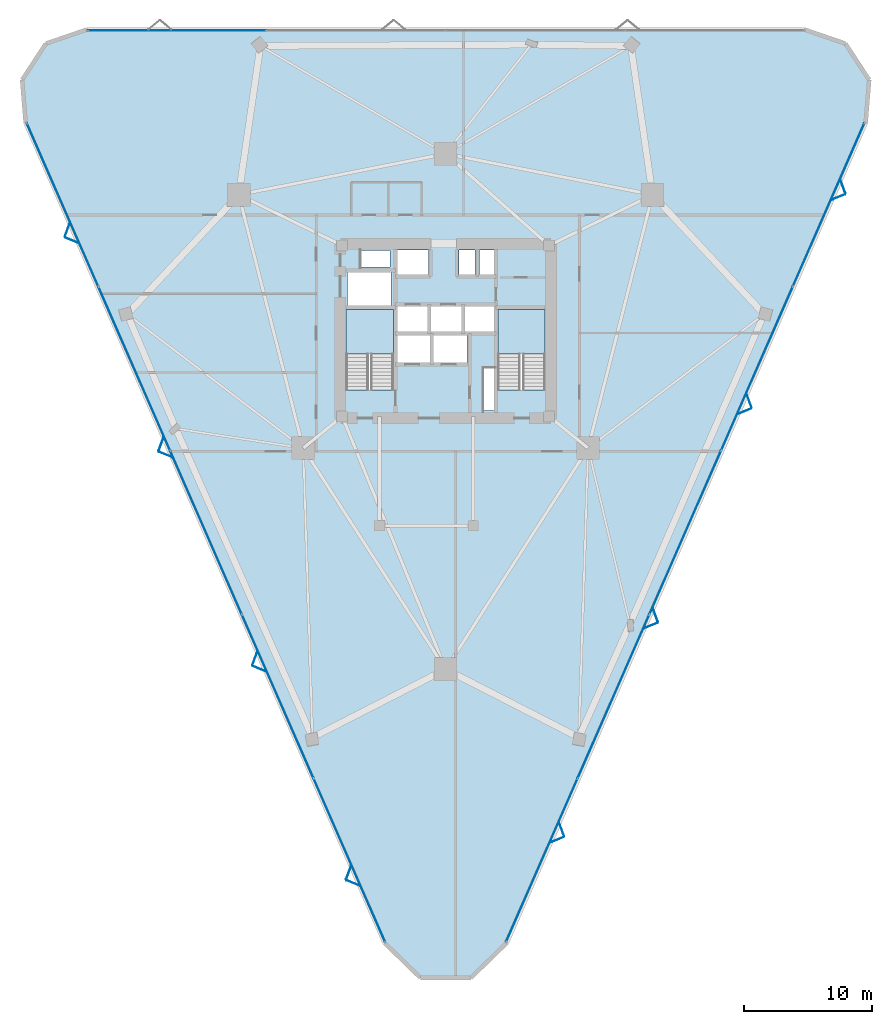
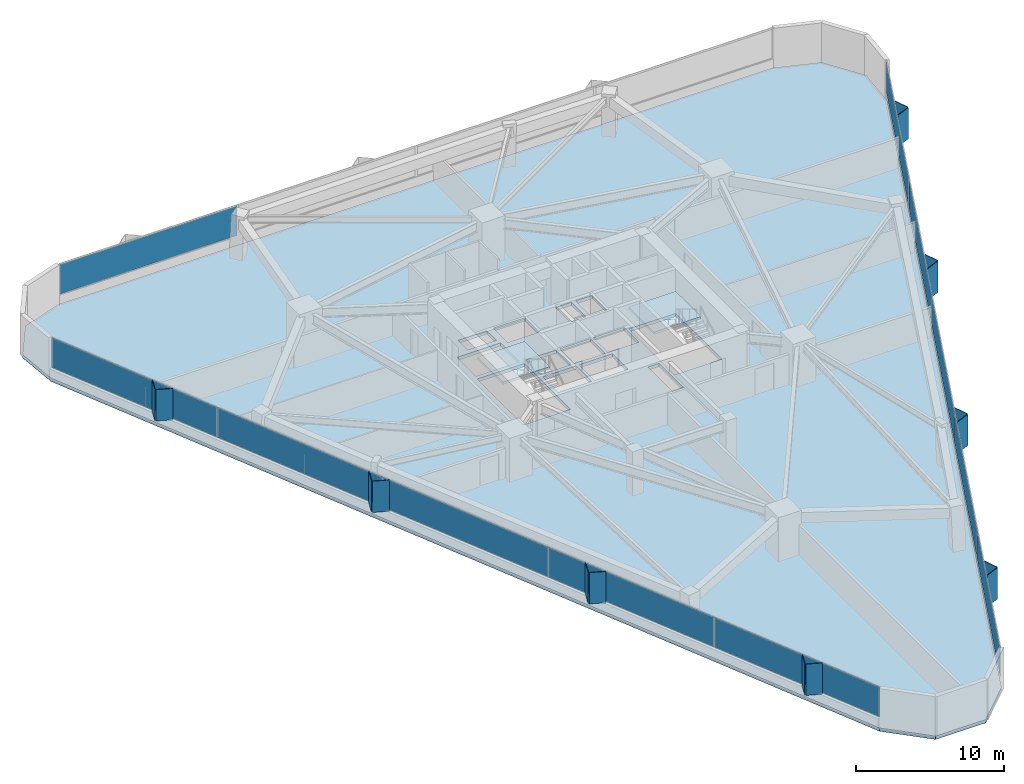
# One storey, part 15 of 20: 27 plates, 3 slabs, 5 elements without a shape of their own.
"""IFC4 building model written with IfcOpenShell, lengths in metres."""

import ifcopenshell
import ifcopenshell.guid

model = None  # the IFC model being written
_history = None  # IfcOwnerHistory: only IFC2X3 demands one
_inside = {}  # id of a spatial element -> (the spatial element, [elements in it])
_under = {}  # id of a project, library or spatial element -> (it, [spatial elements below it])
_declared = {}  # id of a project -> (the project, [libraries it declares])
_typed = {}  # id of a type object -> (the type object, [elements of that type])
_made_of = {}  # id of a material, layer set ... -> (it, [elements and type objects made of it])


def new_model(schema):
    """Start an empty IFC model of exactly this schema.

    Asked for "IFC4X3", IfcOpenShell would pick the latest addendum, in which some entities
    have other attributes; the version numbers below select the first issue.
    IFC2X3 requires an IfcOwnerHistory on every rooted entity: one is made here for all.
    """
    global model, _history
    if schema == "IFC4X3":
        model = ifcopenshell.file(schema_version=(4, 3, 0, 0))
    else:
        model = ifcopenshell.file(schema=schema)
    _inside.clear()
    _under.clear()
    _declared.clear()
    _typed.clear()
    _made_of.clear()
    _history = None
    if model.schema == "IFC2X3":
        org = make("IfcOrganization", Name="unknown")
        user = make(
            "IfcPersonAndOrganization",
            ThePerson=make("IfcPerson", FamilyName="unknown"),
            TheOrganization=org,
        )
        app = make(
            "IfcApplication",
            ApplicationDeveloper=org,
            Version="unknown",
            ApplicationFullName="unknown",
            ApplicationIdentifier="unknown",
        )
        _history = make(
            "IfcOwnerHistory",
            OwningUser=user,
            OwningApplication=app,
            ChangeAction="ADDED",
            CreationDate=0,
        )
    return model


def make(cls, **values):
    """One entity of the class cls with the attributes given. An attribute that is None is left unset."""
    return model.create_entity(
        cls, **{name: value for name, value in values.items() if value is not None}
    )


def rooted(cls, **values):
    """An entity with a GlobalId (a new one), such as an element, a storey or a relation."""
    return make(cls, GlobalId=ifcopenshell.guid.new(), OwnerHistory=_history, **values)


def si_unit(unit_type, name, prefix=None):
    """IfcSIUnit, for example si_unit("LENGTHUNIT", "METRE", prefix="MILLI")."""
    return make("IfcSIUnit", UnitType=unit_type, Prefix=prefix, Name=name)


def assignment(units):
    """IfcUnitAssignment: the units of a project."""
    return None if units is None else make("IfcUnitAssignment", Units=units)


def point(xyz):
    """IfcCartesianPoint."""
    return None if xyz is None else make("IfcCartesianPoint", Coordinates=xyz)


def direction(xyz):
    """IfcDirection."""
    return None if xyz is None else make("IfcDirection", DirectionRatios=xyz)


def frame(location, z_axis=None, x_axis=None):
    """IfcAxis2Placement3D, a coordinate frame: its origin and axes. An axis left out is left unset."""
    return make(
        "IfcAxis2Placement3D",
        Location=point(location),
        Axis=direction(z_axis),
        RefDirection=direction(x_axis),
    )


def frame_2d(location, x_axis=None):
    """IfcAxis2Placement2D, a coordinate frame in the plane: its origin and x axis."""
    return make(
        "IfcAxis2Placement2D", Location=point(location), RefDirection=direction(x_axis)
    )


def origin():
    """The frame at (0, 0, 0) with its axes left unset."""
    return frame((0.0, 0.0, 0.0))


def origin_2d():
    """The frame at (0, 0) in the plane with its x axis left unset."""
    return frame_2d((0.0, 0.0))


def place(relative_to, where):
    """IfcLocalPlacement: puts the frame where relative to a parent placement (None: the world)."""
    return make(
        "IfcLocalPlacement", PlacementRelTo=relative_to, RelativePlacement=where
    )


def context(
    kind, dimensions, precision=None, world=None, true_north=None, identifier=None
):
    """IfcGeometricRepresentationContext, for example the 3D "Model" context."""
    return make(
        "IfcGeometricRepresentationContext",
        ContextIdentifier=identifier,
        ContextType=kind,
        CoordinateSpaceDimension=dimensions,
        Precision=precision,
        WorldCoordinateSystem=world,
        TrueNorth=true_north,
    )


def subcontext(parent, identifier, kind, view, scale=None):
    """IfcGeometricRepresentationSubContext, for example "Body" below "Model"."""
    return make(
        "IfcGeometricRepresentationSubContext",
        ContextIdentifier=identifier,
        ContextType=kind,
        ParentContext=parent,
        TargetScale=scale,
        TargetView=view,
    )


def project(units=None, contexts=None):
    """IfcProject with its units and contexts."""
    return rooted(
        "IfcProject",
        Name="project",
        RepresentationContexts=contexts,
        UnitsInContext=assignment(units),
    )


def spatial(cls, under=None, at=None, **own):
    """A site, building, storey or space (cls), placed at a placement, below another one or the project."""
    s = rooted(cls, ObjectPlacement=at, **own)
    if under is not None:
        _under.setdefault(under.id(), (under, []))[1].append(s)
    return s


def polyline(points):
    """IfcPolyline through the points."""
    return make("IfcPolyline", Points=[point(p) for p in points])


def profile(cls, at=None, kind="AREA", **sizes):
    """A parametric profile (cls). Its sizes go by their IFC names, for example OverallWidth=200.0."""
    return make(cls, ProfileType=kind, Position=at, **sizes)


def rectangle(**sizes):
    """IfcRectangleProfileDef."""
    return profile("IfcRectangleProfileDef", **sizes)


def outline(outer, holes=None, kind="AREA"):
    """IfcArbitraryClosedProfileDef: a profile drawn as a closed curve; with holes, ...WithVoids."""
    if holes is None:
        return make("IfcArbitraryClosedProfileDef", ProfileType=kind, OuterCurve=outer)
    return make(
        "IfcArbitraryProfileDefWithVoids",
        ProfileType=kind,
        OuterCurve=outer,
        InnerCurves=holes,
    )


def extrude(swept, where, along, depth):
    """IfcExtrudedAreaSolid: the profile swept, set in the frame where, extruded along a direction by depth."""
    return make(
        "IfcExtrudedAreaSolid",
        SweptArea=swept,
        Position=where,
        ExtrudedDirection=direction(along),
        Depth=depth,
    )


def shape(context_of_items, identifier, shape_type, items):
    """IfcShapeRepresentation: the items that make up one representation, for example the "Body"."""
    return make(
        "IfcShapeRepresentation",
        ContextOfItems=context_of_items,
        RepresentationIdentifier=identifier,
        RepresentationType=shape_type,
        Items=items,
    )


def material(Name=None, Category=None):
    """IfcMaterial."""
    return make("IfcMaterial", Name=Name, Category=Category)


def layer(
    of_material, thickness, ventilated=None, Name=None, Category=None, Priority=None
):
    """IfcMaterialLayer: one layer of a wall or slab, of a material (None: an air gap)."""
    return make(
        "IfcMaterialLayer",
        Material=of_material,
        LayerThickness=thickness,
        IsVentilated=ventilated,
        Name=Name,
        Category=Category,
        Priority=Priority,
    )


def layer_set(layers, Name=None):
    """IfcMaterialLayerSet."""
    return make("IfcMaterialLayerSet", MaterialLayers=layers, LayerSetName=Name)


def made_of(thing, what):
    """Note that an element or type object is made of a material, layer set ...; save() writes the relation."""
    if what is not None:
        _made_of.setdefault(what.id(), (what, []))[1].append(thing)
    return thing


def type_object(cls, material=None, **own):
    """A type object (cls), such as IfcWallType, which elements share."""
    return made_of(rooted(cls, **own), material)


def element(
    cls,
    number,
    at=None,
    inside=None,
    cuts=None,
    type_object=None,
    material=None,
    context=None,
    identifier="Body",
    shape_type=None,
    held_by="IfcProductDefinitionShape",
    body=None,
    shapes=None,
    **own,
):
    """One element of the class cls, such as IfcWall. Its Tag is "e" and its number.

    at: its placement. inside: the storey or other place that contains it. cuts: it is an
    opening in that element (IfcRelVoidsElement). A single representation is given by context,
    identifier, shape_type and body (its items); several are given by shapes. held_by: the class
    of the entity that holds the representations. save() writes the other relations.
    """
    e = rooted(cls, Tag="e%d" % number, ObjectPlacement=at, **own)
    if body is not None:
        shapes = [shape(context, identifier, shape_type, body)]
    if shapes is not None:
        e.Representation = make(held_by, Representations=shapes)
    if inside is not None:
        _inside.setdefault(inside.id(), (inside, []))[1].append(e)
    if cuts is not None:
        rooted(
            "IfcRelVoidsElement", RelatingBuildingElement=cuts, RelatedOpeningElement=e
        )
    if type_object is not None:
        _typed.setdefault(type_object.id(), (type_object, []))[1].append(e)
    return made_of(e, material)


def aggregate(whole, parts):
    """IfcRelAggregates: a whole, such as a stair, and the parts it consists of."""
    return rooted("IfcRelAggregates", RelatingObject=whole, RelatedObjects=parts)


def save(model, path):
    """Write the relations noted so far, then the file.

    IfcRelAggregates (storeys below a building ...), IfcRelContainedInSpatialStructure (elements
    in a storey), IfcRelDefinesByType, IfcRelAssociatesMaterial and IfcRelDeclares: one each for
    every whole, place, type object, material and project.
    """
    for whole, parts in _under.values():
        aggregate(whole, parts)
    for where, things in _inside.values():
        rooted(
            "IfcRelContainedInSpatialStructure",
            RelatedElements=things,
            RelatingStructure=where,
        )
    for kind, things in _typed.values():
        rooted("IfcRelDefinesByType", RelatedObjects=things, RelatingType=kind)
    for what, things in _made_of.values():
        rooted("IfcRelAssociatesMaterial", RelatedObjects=things, RelatingMaterial=what)
    for by, libraries in _declared.values():
        rooted("IfcRelDeclares", RelatingContext=by, RelatedDefinitions=libraries)
    model.write(path)


model = new_model("IFC4")

# Units and contexts
model_context = context("Model", 3, precision=1e-05, world=origin(), true_north=direction((0.0, 1.0)))
body_context = subcontext(model_context, "Body", "Model", "MODEL_VIEW")
ifc_project = project(units=[si_unit("LENGTHUNIT", "METRE"), si_unit("AREAUNIT", "SQUARE_METRE"), si_unit("VOLUMEUNIT", "CUBIC_METRE"), si_unit("PLANEANGLEUNIT", "RADIAN"), si_unit("MASSUNIT", "GRAM", prefix="KILO")], contexts=[model_context])

# Site, building, storey
site_placement = place(None, origin())
site = spatial("IfcSite", under=ifc_project, at=site_placement, CompositionType="ELEMENT")
building_placement = place(site_placement, origin())
building = spatial("IfcBuilding", under=site, at=building_placement, Name="Talyreon Biosciences Tower", CompositionType="ELEMENT")
storey_placement = place(building_placement, frame((0.0, 0.0, 59.300048828125)))
storey = spatial("IfcBuildingStorey", under=building, at=storey_placement, Name="L15", CompositionType="ELEMENT", Elevation=59.300048828125)

# Curtain wall, plates
ifc_material_1 = material(Name="Thermally broken aluminium and low-E glazing", Category="aluminium")
ifc_layer_1 = layer(ifc_material_1, 0.195068359375)
ifc_layer_set_1 = layer_set([ifc_layer_1], Name="Thermally broken aluminium and low-E glazing")
curtain_wall_type = type_object("IfcCurtainWallType", Name="CurtainWall_Zone1WetLab", PredefinedType="NOTDEFINED", material=ifc_layer_set_1)
curtain_wall_1_placement = place(storey_placement, origin())
curtain_wall_1 = element("IfcCurtainWall", 1, at=curtain_wall_1_placement, inside=storey, type_object=curtain_wall_type, Name="L15 Unitised Curtain Wall FCW-L15-00", PredefinedType="NOTDEFINED")
ifc_material_2 = material(Name="Triple-silver low-E insulated glazing", Category="glass")
ifc_layer_2 = layer(ifc_material_2, 0.031982421875)
ifc_layer_set_2 = layer_set([ifc_layer_2], Name="Triple-silver low-E insulated glazing")
plate_type_1 = type_object("IfcPlateType", Name="CWGlazingPanel_32", PredefinedType="CURTAIN_PANEL", material=ifc_layer_set_2)
plate_1_placement = place(storey_placement, frame((58.511474609375, 26.815185546875, 0.875), z_axis=(0.0, 0.0, 1.0), x_axis=(-0.400967721165, 0.916092182361, 0.0)))
plate_1 = element("IfcPlate", 2, at=plate_1_placement, type_object=plate_type_1, Name="CW2 panel 1.1", PredefinedType="CURTAIN_PANEL", context=body_context, shape_type="SweptSolid", body=[
    extrude(rectangle(XDim=13.826416015625, YDim=0.031982421875, at=origin_2d()), origin(), (0.0, 0.0, 1.0), 2.43505859375),
])
plate_2_placement = place(storey_placement, frame((52.93505859375, 39.555908203125, 0.875), z_axis=(0.0, 0.0, 1.0), x_axis=(-0.400967721165, 0.916092182361, 0.0)))
plate_2 = element("IfcPlate", 3, at=plate_2_placement, type_object=plate_type_1, Name="CW2 panel 2.1", PredefinedType="CURTAIN_PANEL", context=body_context, shape_type="SweptSolid", body=[
    extrude(rectangle(XDim=13.859130859375, YDim=0.031982421875, at=origin_2d()), origin(), (0.0, 0.0, 1.0), 2.43505859375),
])
plate_3_placement = place(storey_placement, frame((47.351806640625, 52.311767578125, 0.875), z_axis=(0.0, 0.0, 1.0), x_axis=(-0.400967721165, 0.916092182361, 0.0)))
plate_3 = element("IfcPlate", 4, at=plate_3_placement, type_object=plate_type_1, Name="CW2 panel 3.1", PredefinedType="CURTAIN_PANEL", context=body_context, shape_type="SweptSolid", body=[
    extrude(rectangle(XDim=13.859130859375, YDim=0.031982421875, at=origin_2d()), origin(), (0.0, 0.0, 1.0), 2.43505859375),
])
plate_4_placement = place(storey_placement, frame((41.768798828125, 65.0673828125, 0.875), z_axis=(0.0, 0.0, 1.0), x_axis=(-0.400967721165, 0.916092182361, 0.0)))
plate_4 = element("IfcPlate", 5, at=plate_4_placement, type_object=plate_type_1, Name="CW2 panel 4.1", PredefinedType="CURTAIN_PANEL", context=body_context, shape_type="SweptSolid", body=[
    extrude(rectangle(XDim=13.859130859375, YDim=0.031982421875, at=origin_2d()), origin(), (0.0, 0.0, 1.0), 2.43505859375),
])
plate_5_placement = place(storey_placement, frame((36.192138671875, 77.80810546875, 0.875), z_axis=(0.0, 0.0, 1.0), x_axis=(-0.400967721165, 0.916092182361, 0.0)))
plate_5 = element("IfcPlate", 6, at=plate_5_placement, type_object=plate_type_1, Name="CW2 panel 5.1", PredefinedType="CURTAIN_PANEL", context=body_context, shape_type="SweptSolid", body=[
    extrude(rectangle(XDim=13.826416015625, YDim=0.031982421875, at=origin_2d()), origin(), (0.0, 0.0, 1.0), 2.43505859375),
])
aggregate(curtain_wall_1, [plate_1, plate_2, plate_3, plate_4, plate_5])

# Curtain wall, plate
curtain_wall_2_placement = place(storey_placement, origin())
curtain_wall_2 = element("IfcCurtainWall", 7, at=curtain_wall_2_placement, inside=storey, type_object=curtain_wall_type, Name="L15 Unitised Curtain Wall FCW-L15-04", PredefinedType="NOTDEFINED")
plate_6_placement = place(storey_placement, frame((45.07958984375, 91.373779296875, 0.875), z_axis=(0.0, 0.0, 1.0), x_axis=(1.0, 0.0, 0.0)))
plate_6 = element("IfcPlate", 8, at=plate_6_placement, type_object=plate_type_1, Name="CW2 panel 1.1", PredefinedType="CURTAIN_PANEL", context=body_context, shape_type="SweptSolid", body=[
    extrude(rectangle(XDim=13.860107421875, YDim=0.031982421875, at=origin_2d()), origin(), (0.0, 0.0, 1.0), 2.43505859375),
])
aggregate(curtain_wall_2, [plate_6])

# Curtain wall, plates
curtain_wall_3_placement = place(storey_placement, origin())
curtain_wall_3 = element("IfcCurtainWall", 9, at=curtain_wall_3_placement, inside=storey, type_object=curtain_wall_type, Name="L15 Unitised Curtain Wall FCW-L15-08", PredefinedType="NOTDEFINED")
plate_7_placement = place(storey_placement, frame((95.807861328125, 77.80810546875, 0.875), z_axis=(0.0, 0.0, 1.0), x_axis=(-0.400967721165, -0.916092182361, 0.0)))
plate_7 = element("IfcPlate", 10, at=plate_7_placement, type_object=plate_type_1, Name="CW2 panel 1.1", PredefinedType="CURTAIN_PANEL", context=body_context, shape_type="SweptSolid", body=[
    extrude(rectangle(XDim=13.826416015625, YDim=0.031982421875, at=origin_2d()), origin(), (0.0, 0.0, 1.0), 2.43505859375),
])
plate_8_placement = place(storey_placement, frame((90.231201171875, 65.0673828125, 0.875), z_axis=(0.0, 0.0, 1.0), x_axis=(-0.400967721165, -0.916092182361, 0.0)))
plate_8 = element("IfcPlate", 11, at=plate_8_placement, type_object=plate_type_1, Name="CW2 panel 2.1", PredefinedType="CURTAIN_PANEL", context=body_context, shape_type="SweptSolid", body=[
    extrude(rectangle(XDim=13.859130859375, YDim=0.031982421875, at=origin_2d()), origin(), (0.0, 0.0, 1.0), 2.43505859375),
])
plate_9_placement = place(storey_placement, frame((84.648193359375, 52.311767578125, 0.875), z_axis=(0.0, 0.0, 1.0), x_axis=(-0.400967721165, -0.916092182361, 0.0)))
plate_9 = element("IfcPlate", 12, at=plate_9_placement, type_object=plate_type_1, Name="CW2 panel 3.1", PredefinedType="CURTAIN_PANEL", context=body_context, shape_type="SweptSolid", body=[
    extrude(rectangle(XDim=13.859130859375, YDim=0.031982421875, at=origin_2d()), origin(), (0.0, 0.0, 1.0), 2.43505859375),
])
plate_10_placement = place(storey_placement, frame((79.06494140625, 39.555908203125, 0.875), z_axis=(0.0, 0.0, 1.0), x_axis=(-0.400967721165, -0.916092182361, 0.0)))
plate_10 = element("IfcPlate", 13, at=plate_10_placement, type_object=plate_type_1, Name="CW2 panel 4.1", PredefinedType="CURTAIN_PANEL", context=body_context, shape_type="SweptSolid", body=[
    extrude(rectangle(XDim=13.859130859375, YDim=0.031982421875, at=origin_2d()), origin(), (0.0, 0.0, 1.0), 2.43505859375),
])
plate_11_placement = place(storey_placement, frame((73.488525390625, 26.815185546875, 0.875), z_axis=(0.0, 0.0, 1.0), x_axis=(-0.400967721165, -0.916092182361, 0.0)))
plate_11 = element("IfcPlate", 14, at=plate_11_placement, type_object=plate_type_1, Name="CW2 panel 5.1", PredefinedType="CURTAIN_PANEL", context=body_context, shape_type="SweptSolid", body=[
    extrude(rectangle(XDim=13.826416015625, YDim=0.031982421875, at=origin_2d()), origin(), (0.0, 0.0, 1.0), 2.43505859375),
])
aggregate(curtain_wall_3, [plate_7, plate_8, plate_9, plate_10, plate_11])

# Plates
ifc_material_3 = material(Name="Ivory GFRC sunshade panel", Category="concrete")
ifc_layer_3 = layer(ifc_material_3, 0.044921875)
ifc_layer_set_3 = layer_set([ifc_layer_3], Name="Ivory GFRC sunshade panel")
plate_type_2 = type_object("IfcPlateType", Name="FoldedVSunshade_SunFace_SUNSHADE", PredefinedType="USERDEFINED", material=ifc_layer_set_3)
for number, where, z_axis, x_axis, name in (
    (15, (58.8134765625, 25.028076171875, 0.7900390625), (0.0, 0.0, 1.0), (-0.924805205788, 0.380440969597, 0.0), "L15 Folded V-Sunshade Panel 00.01L"),
    (16, (58.45263671875, 25.8525390625, 0.7900390625), (0.0, 0.0, 1.0), (0.347933979008, 0.937519037808, 0.0), "L15 Folded V-Sunshade Panel 00.01R"),
    (17, (51.515869140625, 41.700927734375, 0.7900390625), (0.0, 0.0, 1.0), (-0.924805205788, 0.380440969597, 0.0), "L15 Folded V-Sunshade Panel 00.02L"),
    (18, (51.155029296875, 42.525390625, 0.7900390625), (0.0, 0.0, 1.0), (0.347933979008, 0.937519037808, 0.0), "L15 Folded V-Sunshade Panel 00.02R"),
    (19, (44.21826171875, 58.373779296875, 0.7900390625), (0.0, 0.0, 1.0), (-0.924805205788, 0.380440969597, 0.0), "L15 Folded V-Sunshade Panel 00.03L"),
    (20, (43.857421875, 59.1982421875, 0.7900390625), (0.0, 0.0, 1.0), (0.347933979008, 0.937519037808, 0.0), "L15 Folded V-Sunshade Panel 00.03R"),
    (21, (36.920654296875, 75.046630859375, 0.7900390625), (0.0, 0.0, 1.0), (-0.924805205788, 0.380440969597, 0.0), "L15 Folded V-Sunshade Panel 00.04L"),
    (22, (36.559814453125, 75.87109375, 0.7900390625), (0.0, 0.0, 1.0), (0.347933979008, 0.937519037808, 0.0), "L15 Folded V-Sunshade Panel 00.04R"),
    (23, (96.915771484375, 79.242431640625, 0.7900390625), (0.0, 0.0, 1.0), (0.347933979008, -0.937519037808, 0.0), "L15 Folded V-Sunshade Panel 08.01L"),
    (24, (96.554931640625, 78.41796875, 0.7900390625), (0.0, 0.0, 1.0), (-0.924805205788, -0.380440969597, 0.0), "L15 Folded V-Sunshade Panel 08.01R"),
    (25, (89.6181640625, 62.569580078125, 0.7900390625), (0.0, 0.0, 1.0), (0.347933979008, -0.937519037808, 0.0), "L15 Folded V-Sunshade Panel 08.02L"),
    (26, (89.25732421875, 61.7451171875, 0.7900390625), (0.0, 0.0, 1.0), (-0.924805205788, -0.380440969597, 0.0), "L15 Folded V-Sunshade Panel 08.02R"),
    (27, (82.320556640625, 45.896728515625, 0.7900390625), (0.0, 0.0, 1.0), (0.347933979008, -0.937519037808, 0.0), "L15 Folded V-Sunshade Panel 08.03L"),
    (28, (81.959716796875, 45.072265625, 0.7900390625), (0.0, 0.0, 1.0), (-0.924805205788, -0.380440969597, 0.0), "L15 Folded V-Sunshade Panel 08.03R"),
    (29, (75.02294921875, 29.223876953125, 0.7900390625), (0.0, 0.0, 1.0), (0.347933979008, -0.937519037808, 0.0), "L15 Folded V-Sunshade Panel 08.04L"),
    (30, (74.662109375, 28.3994140625, 0.7900390625), (0.0, 0.0, 1.0), (-0.924805205788, -0.380440969597, 0.0), "L15 Folded V-Sunshade Panel 08.04R"),
):
    element("IfcPlate", number, at=place(storey_placement, frame(where, z_axis=z_axis, x_axis=x_axis)), inside=storey, type_object=plate_type_2, Name=name, ObjectType="SUNSHADE", PredefinedType="USERDEFINED", context=body_context, shape_type="SweptSolid", body=[
        extrude(rectangle(XDim=1.14990234375, YDim=0.044921875, at=origin_2d()), origin(), (0.0, 0.0, 1.0), 2.5849609375),
    ])

# Stair, slab
ifc_material_4 = material(Name="Concrete C40/50", Category="concrete")
stair_type = type_object("IfcStairType", Name="DoglegEscapeStair_3650", PredefinedType="HALF_TURN_STAIR", material=ifc_material_4)
stair_1_placement = place(storey_placement, origin())
stair_1 = element("IfcStair", 31, at=stair_1_placement, inside=storey, type_object=stair_type, Name="L15 Core Escape Stair 1", PredefinedType="HALF_TURN_STAIR")
ifc_layer_4 = layer(ifc_material_4, 0.199951171875)
ifc_layer_set_4 = layer_set([ifc_layer_4], Name="Concrete C40/50")
slab_type_1 = type_object("IfcSlabType", Name="StairLandingSlab_200", PredefinedType="LANDING", material=ifc_layer_set_4)
slab_1_placement = place(storey_placement, frame((0.0, 0.0, 1.625)))
slab_1 = element("IfcSlab", 32, at=slab_1_placement, type_object=slab_type_1, Name="ST-1 landing 1", PredefinedType="LANDING", context=body_context, shape_type="SweptSolid", body=[
    extrude(outline(polyline([(61.929931640625, 66.199951171875), (61.929931640625, 69.64990234375), (58.25, 69.64990234375), (58.25, 66.199951171875), (61.929931640625, 66.199951171875)])), origin(), (0.0, 0.0, 1.0), 0.199951171875),
])
aggregate(stair_1, [slab_1])

stair_2_placement = place(storey_placement, origin())
stair_2 = element("IfcStair", 33, at=stair_2_placement, inside=storey, type_object=stair_type, Name="L15 Core Escape Stair 2", PredefinedType="HALF_TURN_STAIR")
slab_2_placement = place(storey_placement, frame((0.0, 0.0, 1.625)))
slab_2 = element("IfcSlab", 34, at=slab_2_placement, type_object=slab_type_1, Name="ST-2 landing 1", PredefinedType="LANDING", context=body_context, shape_type="SweptSolid", body=[
    extrude(outline(polyline([(73.75, 66.199951171875), (73.75, 69.64990234375), (70.070068359375, 69.64990234375), (70.070068359375, 66.199951171875), (73.75, 66.199951171875)])), origin(), (0.0, 0.0, 1.0), 0.199951171875),
])
aggregate(stair_2, [slab_2])

# Slab
ifc_layer_5 = layer(ifc_material_4, 0.27490234375)
ifc_layer_set_5 = layer_set([ifc_layer_5], Name="Concrete C40/50")
slab_type_2 = type_object("IfcSlabType", Name="WetLabFloorSlab_275", PredefinedType="FLOOR", material=ifc_layer_set_5)
slab_3_placement = place(storey_placement, frame((0.0, 0.0, -0.275146484375)))
element("IfcSlab", 35, at=slab_3_placement, inside=storey, type_object=slab_type_2, Name="L15 Structural Floor Slab", PredefinedType="FLOOR", context=body_context, shape_type="SweptSolid", body=[
    extrude(outline(polyline([(61.236328125, 20.390380859375), (33.32080078125, 84.168701171875), (33.04443359375, 87.533203125), (34.891845703125, 90.3583984375), (38.084716796875, 91.453857421875), (93.915283203125, 91.453857421875), (97.108154296875, 90.3583984375), (98.95556640625, 87.533203125), (98.67919921875, 84.168701171875), (70.763671875, 20.390380859375), (67.9580078125, 17.658203125), (64.0419921875, 17.658203125), (61.236328125, 20.390380859375)]), holes=[polyline([(61.929931640625, 69.64990234375), (61.929931640625, 63.407958984375), (58.25, 63.407958984375), (58.25, 69.64990234375), (61.929931640625, 69.64990234375)]), polyline([(64.800048828125, 65.550048828125), (62.199951171875, 65.550048828125), (62.199951171875, 67.64990234375), (64.800048828125, 67.64990234375), (64.800048828125, 65.550048828125)]), polyline([(64.60009765625, 67.949951171875), (62.199951171875, 67.949951171875), (62.199951171875, 69.949951171875), (64.60009765625, 69.949951171875), (64.60009765625, 67.949951171875)]), polyline([(67.25, 69.949951171875), (67.25, 67.949951171875), (64.85009765625, 67.949951171875), (64.85009765625, 69.949951171875), (67.25, 69.949951171875)]), polyline([(61.75, 69.97998046875), (58.35009765625, 69.97998046875), (58.35009765625, 72.550048828125), (61.75, 72.550048828125), (61.75, 69.97998046875)]), polyline([(64.64990234375, 72.35009765625), (62.199951171875, 72.35009765625), (62.199951171875, 74.300048828125), (64.64990234375, 74.300048828125), (64.64990234375, 72.35009765625)]), polyline([(61.64990234375, 74.25), (61.64990234375, 72.9599609375), (59.39990234375, 72.9599609375), (59.39990234375, 74.25), (61.64990234375, 74.25)]), polyline([(69.820068359375, 61.800048828125), (68.9599609375, 61.800048828125), (68.9599609375, 65.10009765625), (69.820068359375, 65.10009765625), (69.820068359375, 61.800048828125)]), polyline([(73.75, 63.407958984375), (70.070068359375, 63.407958984375), (70.070068359375, 69.64990234375), (73.75, 69.64990234375), (73.75, 63.407958984375)]), polyline([(67.64990234375, 65.550048828125), (65.050048828125, 65.550048828125), (65.050048828125, 67.64990234375), (67.64990234375, 67.64990234375), (67.64990234375, 65.550048828125)]), polyline([(69.89990234375, 67.949951171875), (67.5, 67.949951171875), (67.5, 69.949951171875), (69.89990234375, 69.949951171875), (69.89990234375, 67.949951171875)]), polyline([(68.300048828125, 72.35009765625), (67.050048828125, 72.35009765625), (67.050048828125, 74.300048828125), (68.300048828125, 74.300048828125), (68.300048828125, 72.35009765625)]), polyline([(69.919921875, 72.35009765625), (68.6201171875, 72.35009765625), (68.6201171875, 74.300048828125), (69.919921875, 74.300048828125), (69.919921875, 72.35009765625)])]), origin(), (0.0, 0.0, 1.0), 0.275146484375),
])

save(model, "model.ifc")
